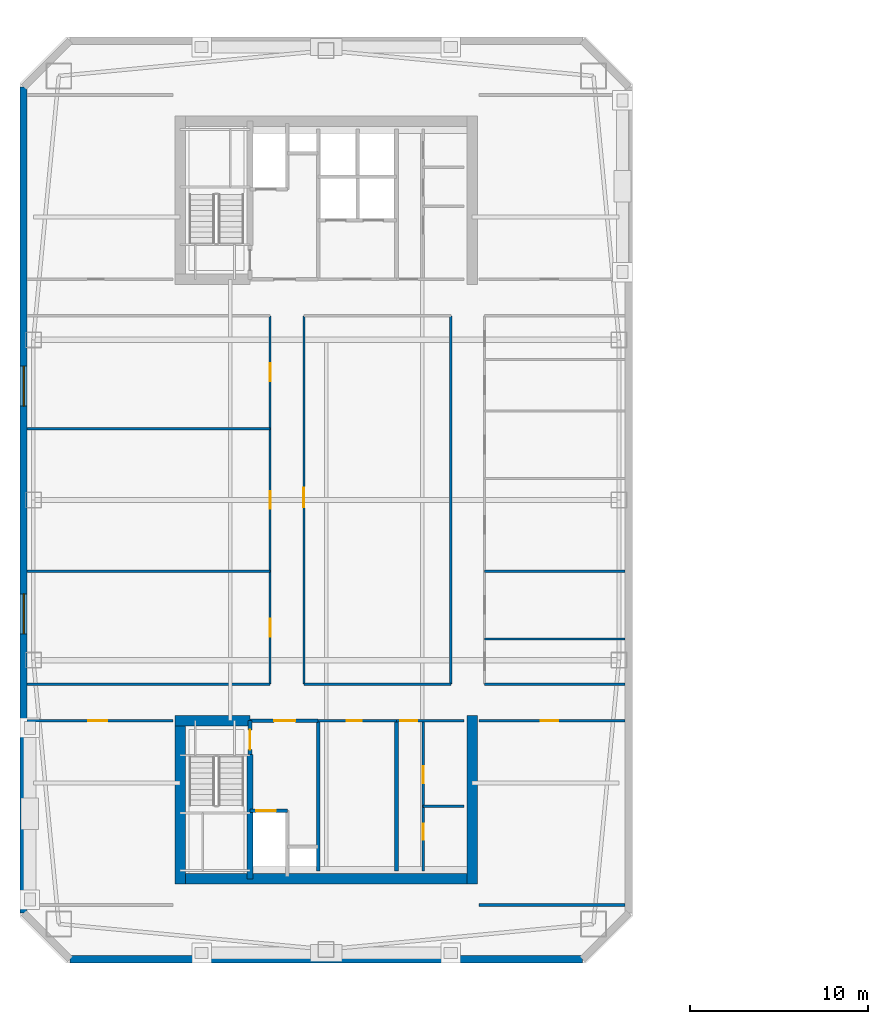
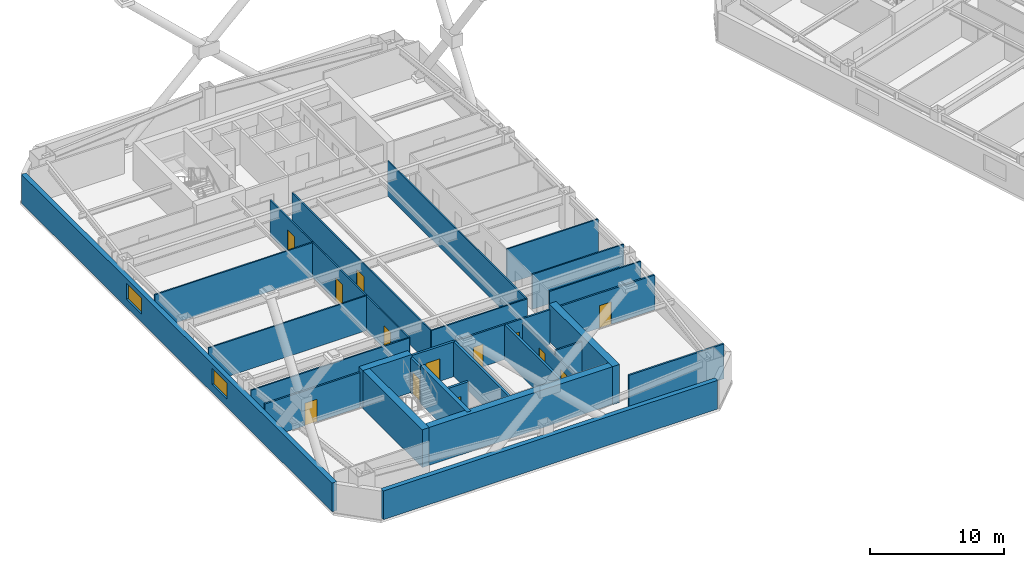
# One storey, part 6 of 14: 29 walls, 13 doors, 2 windows, 15 openings.
"""IFC4 building model written with IfcOpenShell, lengths in metres."""

from ifc_helpers import new_model, si_unit, direction, frame, frame_2d, origin, place, context, subcontext, project, spatial, rectangle, extrude, material, layer, layer_set, type_object, element, fill, save


model = new_model("IFC4")

# Units and contexts
model_context = context("Model", 3, precision=1e-05, world=origin(), true_north=direction((0.0, 1.0)))
body_context = subcontext(model_context, "Body", "Model", "MODEL_VIEW")
ifc_project = project(units=[si_unit("LENGTHUNIT", "METRE"), si_unit("AREAUNIT", "SQUARE_METRE"), si_unit("VOLUMEUNIT", "CUBIC_METRE"), si_unit("PLANEANGLEUNIT", "RADIAN"), si_unit("MASSUNIT", "GRAM", prefix="KILO")], contexts=[model_context])

# Site, building, storey
site_placement = place(None, origin())
site = spatial("IfcSite", under=ifc_project, at=site_placement, CompositionType="ELEMENT")
building_placement = place(site_placement, origin())
building = spatial("IfcBuilding", under=site, at=building_placement, Name="Qiaolan Cultural Towers", CompositionType="ELEMENT")
storey_placement = place(building_placement, frame((0.0, 0.0, 159.85009765625)))
storey = spatial("IfcBuildingStorey", under=building, at=storey_placement, Name="L42", CompositionType="ELEMENT", Elevation=159.85009765625)

# Walls
ifc_material_1 = material(Name="Concrete C50", Category="concrete")
ifc_layer_1 = layer(ifc_material_1, 0.35009765625)
ifc_layer_set_1 = layer_set([ifc_layer_1], Name="Concrete C50")
wall_type_1 = type_object("IfcWallType", Name="WL-CORE-350", PredefinedType="SHEAR", material=ifc_layer_set_1)
wall_1_placement = place(storey_placement, frame((25.719970703125, 19.699951171875, 0.0), z_axis=(0.0, 0.0, 1.0), x_axis=(0.0, -1.0, 0.0)))
element("IfcWall", 1, at=wall_1_placement, inside=storey, type_object=wall_type_1, Name="L42 T1-CS Stair Core Dividing Web", PredefinedType="SHEAR", context=body_context, shape_type="SweptSolid", body=[
    extrude(rectangle(XDim=6.97998046875, YDim=0.35009765625, at=frame_2d((3.489990234375, 0.0))), origin(), (0.0, 0.0, 1.0), 3.449951171875),
])
ifc_material_2 = material(Name="Concrete C55", Category="concrete")
ifc_layer_2 = layer(ifc_material_2, 0.60009765625)
ifc_layer_set_2 = layer_set([ifc_layer_2], Name="Concrete C55")
wall_type_2 = type_object("IfcWallType", Name="WL-CORE-600", PredefinedType="SHEAR", material=ifc_layer_set_2)
wall_2_placement = place(storey_placement, frame((21.5, 12.719970703125, 0.0), z_axis=(0.0, 0.0, 1.0), x_axis=(1.0, 0.0, 0.0)))
element("IfcWall", 2, at=wall_2_placement, inside=storey, type_object=wall_type_2, Name="L42 T1-CS Outer Core Shear Wall", PredefinedType="SHEAR", context=body_context, shape_type="SweptSolid", body=[
    extrude(rectangle(XDim=17.0, YDim=0.60009765625, at=frame_2d((8.5, 0.0))), origin(), (0.0, 0.0, 1.0), 3.449951171875),
])
for number, where, z_axis, x_axis, name in (
    (3, (21.800048828125, 21.89990234375, 0.0), (0.0, 0.0, 1.0), (0.0, -1.0, 0.0), "L42 T1-CS West Core Shear Wall"),
    (4, (38.199951171875, 21.89990234375, 0.0), (0.0, 0.0, 1.0), (0.0, -1.0, 0.0), "L42 T1-CS East Core Shear Wall"),
):
    element("IfcWall", number, at=place(storey_placement, frame(where, z_axis=z_axis, x_axis=x_axis)), inside=storey, type_object=wall_type_2, Name=name, PredefinedType="SHEAR", context=body_context, shape_type="SweptSolid", body=[
        extrude(rectangle(XDim=9.47998046875, YDim=0.60009765625, at=frame_2d((4.739990234375, 0.0))), origin(), (0.0, 0.0, 1.0), 3.449951171875),
    ])
wall_3_placement = place(storey_placement, frame((21.5, 21.60009765625, 0.0), z_axis=(0.0, 0.0, 1.0), x_axis=(1.0, 0.0, 0.0)))
element("IfcWall", 5, at=wall_3_placement, inside=storey, type_object=wall_type_2, Name="L42 T1-CS Stair Front Shear Wall", PredefinedType="SHEAR", context=body_context, shape_type="SweptSolid", body=[
    extrude(rectangle(XDim=4.219970703125, YDim=0.60009765625, at=frame_2d((2.10986328125, 0.0))), origin(), (0.0, 0.0, 1.0), 3.449951171875),
])

# Wall, openings, windows
ifc_material_3 = material(Name="Precast Concrete C50 Honed Stone Pier", Category="masonry")
ifc_layer_3 = layer(ifc_material_3, 0.39990234375)
ifc_layer_set_3 = layer_set([ifc_layer_3], Name="Precast Concrete C50 Honed Stone Pier")
wall_type_3 = type_object("IfcWallType", Name="WL-EXT-PIER-400", PredefinedType="SOLIDWALL", material=ifc_layer_set_3)
wall_4_placement = place(storey_placement, frame((13.0, 10.800048828125, 0.0), z_axis=(0.0, 0.0, 1.0), x_axis=(0.0, 1.0, 0.0)))
wall_4 = element("IfcWall", 6, at=wall_4_placement, inside=storey, type_object=wall_type_3, Name="L42 West Tower Precast Pier Facade Wall F1", PredefinedType="SOLIDWALL", context=body_context, shape_type="SweptSolid", body=[
    extrude(rectangle(XDim=46.39990234375, YDim=0.39990234375, at=frame_2d((23.199951171875, 0.0))), origin(), (0.0, 0.0, 1.0), 2.60986328125),
])
opening_1_placement = place(wall_4_placement, frame((15.675048828125, 0.0, 0.75)))
opening_1 = element("IfcOpeningElement", 7, at=opening_1_placement, cuts=wall_4, Name="Opening W-03", PredefinedType="OPENING", context=body_context, shape_type="SweptSolid", body=[
    extrude(rectangle(XDim=2.25, YDim=1.4599609375, at=frame_2d((1.125, 0.72998046875))), frame((0.0, 0.2099609375, 0.0), z_axis=(0.0, -1.0, 0.0), x_axis=(1.0, 0.0, 0.0)), (0.0, 0.0, 1.0), 0.419921875),
])
opening_2_placement = place(wall_4_placement, frame((28.47509765625, 0.0, 0.75)))
opening_2 = element("IfcOpeningElement", 8, at=opening_2_placement, cuts=wall_4, Name="Opening W-03", PredefinedType="OPENING", context=body_context, shape_type="SweptSolid", body=[
    extrude(rectangle(XDim=2.25, YDim=1.4599609375, at=frame_2d((1.125, 0.72998046875))), frame((0.0, 0.2099609375, 0.0), z_axis=(0.0, -1.0, 0.0), x_axis=(1.0, 0.0, 0.0)), (0.0, 0.0, 1.0), 0.419921875),
])
ifc_material_4 = material(Name="Thermally Broken Aluminium Triple Low-E Glazing", Category="aluminium")
window_type = type_object("IfcWindowType", Name="WN-CHIC-2250", PartitioningType="SINGLE_PANEL", PredefinedType="WINDOW", material=ifc_material_4)
window_1_placement = place(opening_1_placement, origin())
window_1 = element("IfcWindow", 9, at=window_1_placement, inside=storey, type_object=window_type, Name="L42 T1 W Chicago Bay Window 1", OverallHeight=1.4599609375, OverallWidth=2.25, PartitioningType="TRIPLE_PANEL_VERTICAL", PredefinedType="WINDOW", context=body_context, shape_type="SweptSolid", body=[
    extrude(rectangle(XDim=2.25, YDim=1.4599609375, at=frame_2d((1.125, 0.72998046875))), frame((0.0, 0.030029296875, 0.0), z_axis=(0.0, -1.0, 0.0), x_axis=(1.0, 0.0, 0.0)), (0.0, 0.0, 1.0), 0.06005859375),
])
fill(opening_1, window_1)
window_2_placement = place(opening_2_placement, origin())
window_2 = element("IfcWindow", 10, at=window_2_placement, inside=storey, type_object=window_type, Name="L42 T1 W Chicago Bay Window 2", OverallHeight=1.4599609375, OverallWidth=2.25, PartitioningType="TRIPLE_PANEL_VERTICAL", PredefinedType="WINDOW", context=body_context, shape_type="SweptSolid", body=[
    extrude(rectangle(XDim=2.25, YDim=1.4599609375, at=frame_2d((1.125, 0.72998046875))), frame((0.0, 0.030029296875, 0.0), z_axis=(0.0, -1.0, 0.0), x_axis=(1.0, 0.0, 0.0)), (0.0, 0.0, 1.0), 0.06005859375),
])
fill(opening_2, window_2)

# Wall
wall_5_placement = place(storey_placement, frame((44.39990234375, 8.199951171875, 0.0), z_axis=(0.0, 0.0, 1.0), x_axis=(-1.0, 0.0, 0.0)))
element("IfcWall", 11, at=wall_5_placement, inside=storey, type_object=wall_type_3, Name="L42 West Tower Precast Pier Facade Wall F7", PredefinedType="SOLIDWALL", context=body_context, shape_type="SweptSolid", body=[
    extrude(rectangle(XDim=28.7998046875, YDim=0.39990234375, at=frame_2d((14.39990234375, 0.0))), origin(), (0.0, 0.0, 1.0), 2.60986328125),
])

# Wall, opening, door
ifc_material_5 = material(Name="Concrete C35 Fire Wall", Category="concrete")
ifc_layer_4 = layer(ifc_material_5, 0.199951171875)
ifc_layer_set_4 = layer_set([ifc_layer_4], Name="Concrete C35 Fire Wall")
wall_type_4 = type_object("IfcWallType", Name="WL-FIRE-200", PredefinedType="PARTITIONING", material=ifc_layer_set_4)
wall_6_placement = place(storey_placement, frame((25.719970703125, 21.60009765625, 0.0), z_axis=(0.0, 0.0, 1.0), x_axis=(0.0, -1.0, 0.0)))
wall_6 = element("IfcWall", 12, at=wall_6_placement, inside=storey, type_object=wall_type_4, Name="L42 T1-CS Smokeproof Stair Entry Wall", PredefinedType="PARTITIONING", context=body_context, shape_type="SweptSolid", body=[
    extrude(rectangle(XDim=1.900146484375, YDim=0.199951171875, at=frame_2d((0.9501953125, 0.0))), origin(), (0.0, 0.0, 1.0), 3.1748046875),
])
opening_3_placement = place(wall_6_placement, frame((0.52001953125, 0.0, 0.0)))
opening_3 = element("IfcOpeningElement", 13, at=opening_3_placement, cuts=wall_6, Name="Opening FD-04", PredefinedType="OPENING", context=body_context, shape_type="SweptSolid", body=[
    extrude(rectangle(XDim=1.10009765625, YDim=2.050048828125, at=frame_2d((0.550048828125, 1.02490234375))), frame((0.0, 0.10986328125, 0.0), z_axis=(0.0, -1.0, 0.0), x_axis=(1.0, 0.0, 0.0)), (0.0, 0.0, 1.0), 0.219970703125),
])
ifc_material_6 = material(Name="Galvanized Steel Command Fire Door", Category="steel")
door_type_1 = type_object("IfcDoorType", Name="DR-FD90-1100", OperationType="NOTDEFINED", PredefinedType="DOOR", material=ifc_material_6)
door_1_placement = place(opening_3_placement, origin())
door_1 = element("IfcDoor", 14, at=door_1_placement, inside=storey, type_object=door_type_1, Name="L42 ST-W1 Smokeproof Stair Fire Door", OperationType="SINGLE_SWING_LEFT", OverallHeight=2.050048828125, OverallWidth=1.10009765625, PredefinedType="DOOR", context=body_context, shape_type="SweptSolid", body=[
    extrude(rectangle(XDim=1.10009765625, YDim=2.050048828125, at=frame_2d((0.550048828125, 1.02490234375))), frame((0.0, 0.02490234375, 0.0), z_axis=(0.0, -1.0, 0.0), x_axis=(1.0, 0.0, 0.0)), (0.0, 0.0, 1.0), 0.050048828125),
])
fill(opening_3, door_1)

# Wall
wall_7_placement = place(storey_placement, frame((29.550048828125, 21.60009765625, 0.0), z_axis=(0.0, 0.0, 1.0), x_axis=(0.0, -1.0, 0.0)))
element("IfcWall", 15, at=wall_7_placement, inside=storey, type_object=wall_type_4, Name="L42 T1-CS Firefighting Zone Wall", PredefinedType="PARTITIONING", context=body_context, shape_type="SweptSolid", body=[
    extrude(rectangle(XDim=8.43017578125, YDim=0.199951171875, at=frame_2d((4.215087890625, 0.0))), origin(), (0.0, 0.0, 1.0), 3.1748046875),
])

# Wall, opening, door
wall_8_placement = place(storey_placement, frame((25.719970703125, 21.60009765625, 0.0), z_axis=(0.0, 0.0, 1.0), x_axis=(1.0, 0.0, 0.0)))
wall_8 = element("IfcWall", 16, at=wall_8_placement, inside=storey, type_object=wall_type_4, Name="L42 T1-CS Firefighting Lobby Front Wall", PredefinedType="PARTITIONING", context=body_context, shape_type="SweptSolid", body=[
    extrude(rectangle(XDim=3.830078125, YDim=0.199951171875, at=frame_2d((1.9150390625, 0.0))), origin(), (0.0, 0.0, 1.0), 3.1748046875),
])
opening_4_placement = place(wall_8_placement, frame((1.35009765625, 0.0, 0.0)))
opening_4 = element("IfcOpeningElement", 17, at=opening_4_placement, cuts=wall_8, Name="Opening FD-03", PredefinedType="OPENING", context=body_context, shape_type="SweptSolid", body=[
    extrude(rectangle(XDim=1.199951171875, YDim=2.050048828125, at=frame_2d((0.60009765625, 1.02490234375))), frame((0.0, 0.10986328125, 0.0), z_axis=(0.0, -1.0, 0.0), x_axis=(1.0, 0.0, 0.0)), (0.0, 0.0, 1.0), 0.219970703125),
])
ifc_material_7 = material(Name="Galvanized Steel Smokeproof Lobby Fire Door", Category="steel")
door_type_2 = type_object("IfcDoorType", Name="DR-FD90-1200", OperationType="NOTDEFINED", PredefinedType="DOOR", material=ifc_material_7)
door_2_placement = place(opening_4_placement, origin())
door_2 = element("IfcDoor", 18, at=door_2_placement, inside=storey, type_object=door_type_2, Name="L42 FFL-W1 Firefighting Lobby Fire Door", OperationType="SINGLE_SWING_LEFT", OverallHeight=2.050048828125, OverallWidth=1.199951171875, PredefinedType="DOOR", context=body_context, shape_type="SweptSolid", body=[
    extrude(rectangle(XDim=1.199951171875, YDim=2.050048828125, at=frame_2d((0.60009765625, 1.02490234375))), frame((0.0, 0.02490234375, 0.0), z_axis=(0.0, -1.0, 0.0), x_axis=(1.0, 0.0, 0.0)), (0.0, 0.0, 1.0), 0.050048828125),
])
fill(opening_4, door_2)

wall_9_placement = place(storey_placement, frame((25.719970703125, 16.550048828125, 0.0), z_axis=(0.0, 0.0, 1.0), x_axis=(1.0, 0.0, 0.0)))
wall_9 = element("IfcWall", 19, at=wall_9_placement, inside=storey, type_object=wall_type_4, Name="L42 T1-CS Firefighting Shaft Front Wall", PredefinedType="PARTITIONING", context=body_context, shape_type="SweptSolid", body=[
    extrude(rectangle(XDim=2.10009765625, YDim=0.199951171875, at=frame_2d((1.050048828125, 0.0))), origin(), (0.0, 0.0, 1.0), 3.1748046875),
])
opening_5_placement = place(wall_9_placement, frame((0.35009765625, 0.0, 0.0)))
opening_5 = element("IfcOpeningElement", 20, at=opening_5_placement, cuts=wall_9, Name="Opening LD-01", PredefinedType="OPENING", context=body_context, shape_type="SweptSolid", body=[
    extrude(rectangle(XDim=1.10009765625, YDim=2.050048828125, at=frame_2d((0.550048828125, 1.02490234375))), frame((0.0, 0.10986328125, 0.0), z_axis=(0.0, -1.0, 0.0), x_axis=(1.0, 0.0, 0.0)), (0.0, 0.0, 1.0), 0.219970703125),
])
ifc_material_8 = material(Name="Brushed Stainless Steel S30408 Centre-Parting Lift Landing Door", Category="steel")
door_type_3 = type_object("IfcDoorType", Name="DR-LIFT-1100", OperationType="NOTDEFINED", PredefinedType="DOOR", material=ifc_material_8)
door_3_placement = place(opening_5_placement, origin())
door_3 = element("IfcDoor", 21, at=door_3_placement, inside=storey, type_object=door_type_3, Name="L42 FFL-W1 Firefighting Lift Landing Door", OperationType="DOUBLE_DOOR_SLIDING", OverallHeight=2.050048828125, OverallWidth=1.10009765625, PredefinedType="DOOR", context=body_context, shape_type="SweptSolid", body=[
    extrude(rectangle(XDim=1.10009765625, YDim=2.050048828125, at=frame_2d((0.550048828125, 1.02490234375))), frame((0.0, 0.02490234375, 0.0), z_axis=(0.0, -1.0, 0.0), x_axis=(1.0, 0.0, 0.0)), (0.0, 0.0, 1.0), 0.050048828125),
])
fill(opening_5, door_3)

# Walls
wall_10_placement = place(storey_placement, frame((33.949951171875, 21.60009765625, 0.0), z_axis=(0.0, 0.0, 1.0), x_axis=(0.0, -1.0, 0.0)))
element("IfcWall", 22, at=wall_10_placement, inside=storey, type_object=wall_type_4, Name="L42 T1-CS Lift Core East Wall", PredefinedType="PARTITIONING", context=body_context, shape_type="SweptSolid", body=[
    extrude(rectangle(XDim=8.43017578125, YDim=0.199951171875, at=frame_2d((4.215087890625, 0.0))), origin(), (0.0, 0.0, 1.0), 3.1748046875),
])
ifc_material_9 = material(Name="Gypsum Stud Acoustic Partition", Category="gypsum")
ifc_layer_5 = layer(ifc_material_9, 0.1201171875)
ifc_layer_set_5 = layer_set([ifc_layer_5], Name="Gypsum Stud Acoustic Partition")
wall_type_5 = type_object("IfcWallType", Name="WL-PART-120", PredefinedType="PARTITIONING", material=ifc_layer_set_5)
wall_11_placement = place(storey_placement, frame((13.199951171875, 23.64990234375, 0.0), z_axis=(0.0, 0.0, 1.0), x_axis=(1.0, 0.0, 0.0)))
element("IfcWall", 23, at=wall_11_placement, inside=storey, type_object=wall_type_5, Name="L42 T1 Interior Wall", PredefinedType="PARTITIONING", context=body_context, shape_type="SweptSolid", body=[
    extrude(rectangle(XDim=13.650146484375, YDim=0.1201171875, at=frame_2d((6.8251953125, 0.0))), origin(), (0.0, 0.0, 1.0), 3.1748046875),
])
wall_12_placement = place(storey_placement, frame((28.75, 23.64990234375, 0.0), z_axis=(0.0, 0.0, 1.0), x_axis=(1.0, 0.0, 0.0)))
element("IfcWall", 24, at=wall_12_placement, inside=storey, type_object=wall_type_5, Name="L42 T1 Interior Wall", PredefinedType="PARTITIONING", context=body_context, shape_type="SweptSolid", body=[
    extrude(rectangle(XDim=8.25, YDim=0.1201171875, at=frame_2d((4.125, 0.0))), origin(), (0.0, 0.0, 1.0), 3.1748046875),
])
wall_13_placement = place(storey_placement, frame((38.89990234375, 23.64990234375, 0.0), z_axis=(0.0, 0.0, 1.0), x_axis=(1.0, 0.0, 0.0)))
element("IfcWall", 25, at=wall_13_placement, inside=storey, type_object=wall_type_5, Name="L42 T1 Interior Wall", PredefinedType="PARTITIONING", context=body_context, shape_type="SweptSolid", body=[
    extrude(rectangle(XDim=7.900146484375, YDim=0.1201171875, at=frame_2d((3.9501953125, 0.0))), origin(), (0.0, 0.0, 1.0), 3.1748046875),
])

# Wall, openings, doors
wall_14_placement = place(storey_placement, frame((26.85009765625, 23.64990234375, 0.0), z_axis=(0.0, 0.0, 1.0), x_axis=(0.0, 1.0, 0.0)))
wall_14 = element("IfcWall", 26, at=wall_14_placement, inside=storey, type_object=wall_type_5, Name="L42 T1 Interior Wall", PredefinedType="PARTITIONING", context=body_context, shape_type="SweptSolid", body=[
    extrude(rectangle(XDim=20.7001953125, YDim=0.1201171875, at=frame_2d((10.35009765625, 0.0))), origin(), (0.0, 0.0, 1.0), 3.1748046875),
])
opening_6_placement = place(wall_14_placement, frame((2.675048828125, 0.0, 0.0)))
opening_6 = element("IfcOpeningElement", 27, at=opening_6_placement, cuts=wall_14, Name="Opening ID-04", PredefinedType="OPENING", context=body_context, shape_type="SweptSolid", body=[
    extrude(rectangle(XDim=1.0, YDim=2.050048828125, at=frame_2d((0.5, 1.02490234375))), frame((0.0, 0.070068359375, 0.0), z_axis=(0.0, -1.0, 0.0), x_axis=(1.0, 0.0, 0.0)), (0.0, 0.0, 1.0), 0.14013671875),
])
opening_7_placement = place(wall_14_placement, frame((9.85009765625, 0.0, 0.0)))
opening_7 = element("IfcOpeningElement", 28, at=opening_7_placement, cuts=wall_14, Name="Opening ID-04", PredefinedType="OPENING", context=body_context, shape_type="SweptSolid", body=[
    extrude(rectangle(XDim=1.0, YDim=2.050048828125, at=frame_2d((0.5, 1.02490234375))), frame((0.0, 0.070068359375, 0.0), z_axis=(0.0, -1.0, 0.0), x_axis=(1.0, 0.0, 0.0)), (0.0, 0.0, 1.0), 0.14013671875),
])
opening_8_placement = place(wall_14_placement, frame((17.02490234375, 0.0, 0.0)))
opening_8 = element("IfcOpeningElement", 29, at=opening_8_placement, cuts=wall_14, Name="Opening ID-04", PredefinedType="OPENING", context=body_context, shape_type="SweptSolid", body=[
    extrude(rectangle(XDim=1.0, YDim=2.050048828125, at=frame_2d((0.5, 1.02490234375))), frame((0.0, 0.070068359375, 0.0), z_axis=(0.0, -1.0, 0.0), x_axis=(1.0, 0.0, 0.0)), (0.0, 0.0, 1.0), 0.14013671875),
])
ifc_material_10 = material(Name="Oak Veneer Acoustic Office Door", Category="timber")
door_type_4 = type_object("IfcDoorType", Name="DR-INT-1000", OperationType="NOTDEFINED", PredefinedType="DOOR", material=ifc_material_10)
door_4_placement = place(opening_6_placement, origin())
door_4 = element("IfcDoor", 30, at=door_4_placement, inside=storey, type_object=door_type_4, Name="L42 T1 Members Sky Club Door", OperationType="SINGLE_SWING_LEFT", OverallHeight=2.050048828125, OverallWidth=1.0, PredefinedType="DOOR", context=body_context, shape_type="SweptSolid", body=[
    extrude(rectangle(XDim=1.0, YDim=2.050048828125, at=frame_2d((0.5, 1.02490234375))), frame((0.0, 0.02490234375, 0.0), z_axis=(0.0, -1.0, 0.0), x_axis=(1.0, 0.0, 0.0)), (0.0, 0.0, 1.0), 0.050048828125),
])
fill(opening_6, door_4)
door_5_placement = place(opening_7_placement, origin())
door_5 = element("IfcDoor", 31, at=door_5_placement, inside=storey, type_object=door_type_4, Name="L42 T1 Members Sky Club Door", OperationType="SINGLE_SWING_RIGHT", OverallHeight=2.050048828125, OverallWidth=1.0, PredefinedType="DOOR", context=body_context, shape_type="SweptSolid", body=[
    extrude(rectangle(XDim=1.0, YDim=2.050048828125, at=frame_2d((0.5, 1.02490234375))), frame((0.0, 0.02490234375, 0.0), z_axis=(0.0, -1.0, 0.0), x_axis=(1.0, 0.0, 0.0)), (0.0, 0.0, 1.0), 0.050048828125),
])
fill(opening_7, door_5)
door_6_placement = place(opening_8_placement, origin())
door_6 = element("IfcDoor", 32, at=door_6_placement, inside=storey, type_object=door_type_4, Name="L42 T1 Members Sky Club Door", OperationType="SINGLE_SWING_LEFT", OverallHeight=2.050048828125, OverallWidth=1.0, PredefinedType="DOOR", context=body_context, shape_type="SweptSolid", body=[
    extrude(rectangle(XDim=1.0, YDim=2.050048828125, at=frame_2d((0.5, 1.02490234375))), frame((0.0, 0.02490234375, 0.0), z_axis=(0.0, -1.0, 0.0), x_axis=(1.0, 0.0, 0.0)), (0.0, 0.0, 1.0), 0.050048828125),
])
fill(opening_8, door_6)

# Wall, opening, door
wall_15_placement = place(storey_placement, frame((28.75, 23.64990234375, 0.0), z_axis=(0.0, 0.0, 1.0), x_axis=(0.0, 1.0, 0.0)))
wall_15 = element("IfcWall", 33, at=wall_15_placement, inside=storey, type_object=wall_type_5, Name="L42 T1 Interior Wall", PredefinedType="PARTITIONING", context=body_context, shape_type="SweptSolid", body=[
    extrude(rectangle(XDim=20.7001953125, YDim=0.1201171875, at=frame_2d((10.35009765625, 0.0))), origin(), (0.0, 0.0, 1.0), 3.1748046875),
])
opening_9_placement = place(wall_15_placement, frame((9.93603515625, 0.0, 0.0)))
opening_9 = element("IfcOpeningElement", 34, at=opening_9_placement, cuts=wall_15, Name="Opening ID-03", PredefinedType="OPENING", context=body_context, shape_type="SweptSolid", body=[
    extrude(rectangle(XDim=1.10009765625, YDim=2.050048828125, at=frame_2d((0.550048828125, 1.02490234375))), frame((0.0, 0.070068359375, 0.0), z_axis=(0.0, -1.0, 0.0), x_axis=(1.0, 0.0, 0.0)), (0.0, 0.0, 1.0), 0.14013671875),
])
ifc_material_11 = material(Name="Oak Veneer Solid-Core Boardroom Door", Category="timber")
door_type_5 = type_object("IfcDoorType", Name="DR-INT-1100", OperationType="NOTDEFINED", PredefinedType="DOOR", material=ifc_material_11)
door_7_placement = place(opening_9_placement, origin())
door_7 = element("IfcDoor", 35, at=door_7_placement, inside=storey, type_object=door_type_5, Name="L42 T1 Central Colloquium Hall Door", OperationType="SINGLE_SWING_LEFT", OverallHeight=2.050048828125, OverallWidth=1.10009765625, PredefinedType="DOOR", context=body_context, shape_type="SweptSolid", body=[
    extrude(rectangle(XDim=1.10009765625, YDim=2.050048828125, at=frame_2d((0.550048828125, 1.02490234375))), frame((0.0, 0.02490234375, 0.0), z_axis=(0.0, -1.0, 0.0), x_axis=(1.0, 0.0, 0.0)), (0.0, 0.0, 1.0), 0.050048828125),
])
fill(opening_9, door_7)

# Walls
wall_16_placement = place(storey_placement, frame((37.0, 23.64990234375, 0.0), z_axis=(0.0, 0.0, 1.0), x_axis=(0.0, 1.0, 0.0)))
element("IfcWall", 36, at=wall_16_placement, inside=storey, type_object=wall_type_5, Name="L42 T1 Interior Wall", PredefinedType="PARTITIONING", context=body_context, shape_type="SweptSolid", body=[
    extrude(rectangle(XDim=20.7001953125, YDim=0.1201171875, at=frame_2d((10.35009765625, 0.0))), origin(), (0.0, 0.0, 1.0), 3.1748046875),
])
for number, where, z_axis, x_axis, name in (
    (37, (13.199951171875, 30.0, 0.0), (0.0, 0.0, 1.0), (1.0, 0.0, 0.0), "L42 T1 Interior Wall"),
    (38, (13.199951171875, 38.0, 0.0), (0.0, 0.0, 1.0), (1.0, 0.0, 0.0), "L42 T1 Interior Wall"),
):
    element("IfcWall", number, at=place(storey_placement, frame(where, z_axis=z_axis, x_axis=x_axis)), inside=storey, type_object=wall_type_5, Name=name, PredefinedType="PARTITIONING", context=body_context, shape_type="SweptSolid", body=[
        extrude(rectangle(XDim=13.650146484375, YDim=0.1201171875, at=frame_2d((6.8251953125, 0.0))), origin(), (0.0, 0.0, 1.0), 3.1748046875),
    ])
for number, where, z_axis, x_axis, name in (
    (39, (38.89990234375, 26.199951171875, 0.0), (0.0, 0.0, 1.0), (1.0, 0.0, 0.0), "L42 T1 Interior Wall"),
    (40, (38.89990234375, 30.0, 0.0), (0.0, 0.0, 1.0), (1.0, 0.0, 0.0), "L42 T1 Interior Wall"),
):
    element("IfcWall", number, at=place(storey_placement, frame(where, z_axis=z_axis, x_axis=x_axis)), inside=storey, type_object=wall_type_5, Name=name, PredefinedType="PARTITIONING", context=body_context, shape_type="SweptSolid", body=[
        extrude(rectangle(XDim=7.900146484375, YDim=0.1201171875, at=frame_2d((3.9501953125, 0.0))), origin(), (0.0, 0.0, 1.0), 3.1748046875),
    ])

# Wall, opening, door
ifc_material_12 = material(Name="Autoclaved Aerated Concrete Block B06", Category="concrete")
ifc_layer_6 = layer(ifc_material_12, 0.14990234375)
ifc_layer_set_6 = layer_set([ifc_layer_6], Name="Autoclaved Aerated Concrete Block B06")
wall_type_6 = type_object("IfcWallType", Name="WL-PART-150", PredefinedType="PARTITIONING", material=ifc_layer_set_6)
wall_17_placement = place(storey_placement, frame((29.550048828125, 21.60009765625, 0.0), z_axis=(0.0, 0.0, 1.0), x_axis=(1.0, 0.0, 0.0)))
wall_17 = element("IfcWall", 41, at=wall_17_placement, inside=storey, type_object=wall_type_6, Name="L42 T1-CS Reclaimed Core Room Front Wall", PredefinedType="PARTITIONING", context=body_context, shape_type="SweptSolid", body=[
    extrude(rectangle(XDim=4.39990234375, YDim=0.14990234375, at=frame_2d((2.199951171875, 0.0))), origin(), (0.0, 0.0, 1.0), 3.1748046875),
])
opening_10_placement = place(wall_17_placement, frame((1.60009765625, 0.0, 0.0)))
opening_10 = element("IfcOpeningElement", 42, at=opening_10_placement, cuts=wall_17, Name="Opening ID-09", PredefinedType="OPENING", context=body_context, shape_type="SweptSolid", body=[
    extrude(rectangle(XDim=0.85009765625, YDim=2.050048828125, at=frame_2d((0.425048828125, 1.02490234375))), frame((0.0, 0.0849609375, 0.0), z_axis=(0.0, -1.0, 0.0), x_axis=(1.0, 0.0, 0.0)), (0.0, 0.0, 1.0), 0.169921875),
])
ifc_material_13 = material(Name="Moisture-Resistant Laminate Utility Door", Category="timber")
door_type_6 = type_object("IfcDoorType", Name="DR-INT-850", OperationType="NOTDEFINED", PredefinedType="DOOR", material=ifc_material_13)
door_8_placement = place(opening_10_placement, origin())
door_8 = element("IfcDoor", 43, at=door_8_placement, inside=storey, type_object=door_type_6, Name="L42 Reclaimed Archive Room Door", OperationType="SINGLE_SWING_LEFT", OverallHeight=2.050048828125, OverallWidth=0.85009765625, PredefinedType="DOOR", context=body_context, shape_type="SweptSolid", body=[
    extrude(rectangle(XDim=0.85009765625, YDim=2.050048828125, at=frame_2d((0.425048828125, 1.02490234375))), frame((0.0, 0.02490234375, 0.0), z_axis=(0.0, -1.0, 0.0), x_axis=(1.0, 0.0, 0.0)), (0.0, 0.0, 1.0), 0.050048828125),
])
fill(opening_10, door_8)

wall_18_placement = place(storey_placement, frame((33.949951171875, 21.60009765625, 0.0), z_axis=(0.0, 0.0, 1.0), x_axis=(1.0, 0.0, 0.0)))
wall_18 = element("IfcWall", 44, at=wall_18_placement, inside=storey, type_object=wall_type_6, Name="L42 T1-CS Sanitary Core Front Wall", PredefinedType="PARTITIONING", context=body_context, shape_type="SweptSolid", body=[
    extrude(rectangle(XDim=3.800048828125, YDim=0.14990234375, at=frame_2d((1.89990234375, 0.0))), origin(), (0.0, 0.0, 1.0), 3.1748046875),
])
opening_11_placement = place(wall_18_placement, frame((0.219970703125, 0.0, 0.0)))
opening_11 = element("IfcOpeningElement", 45, at=opening_11_placement, cuts=wall_18, Name="Opening ID-05", PredefinedType="OPENING", context=body_context, shape_type="SweptSolid", body=[
    extrude(rectangle(XDim=0.949951171875, YDim=2.050048828125, at=frame_2d((0.47509765625, 1.02490234375))), frame((0.0, 0.0849609375, 0.0), z_axis=(0.0, -1.0, 0.0), x_axis=(1.0, 0.0, 0.0)), (0.0, 0.0, 1.0), 0.169921875),
])
ifc_material_14 = material(Name="Fire-Rated Laminate Accessible Core Door", Category="timber")
door_type_7 = type_object("IfcDoorType", Name="DR-INT-950", OperationType="NOTDEFINED", PredefinedType="DOOR", material=ifc_material_14)
door_9_placement = place(opening_11_placement, origin())
door_9 = element("IfcDoor", 46, at=door_9_placement, inside=storey, type_object=door_type_7, Name="L42 Sanitary Lobby Door", OperationType="SINGLE_SWING_LEFT", OverallHeight=2.050048828125, OverallWidth=0.949951171875, PredefinedType="DOOR", context=body_context, shape_type="SweptSolid", body=[
    extrude(rectangle(XDim=0.949951171875, YDim=2.050048828125, at=frame_2d((0.47509765625, 1.02490234375))), frame((0.0, 0.02490234375, 0.0), z_axis=(0.0, -1.0, 0.0), x_axis=(1.0, 0.0, 0.0)), (0.0, 0.0, 1.0), 0.050048828125),
])
fill(opening_11, door_9)

# Wall, openings, doors
wall_19_placement = place(storey_placement, frame((35.449951171875, 21.60009765625, 0.0), z_axis=(0.0, 0.0, 1.0), x_axis=(0.0, -1.0, 0.0)))
wall_19 = element("IfcWall", 47, at=wall_19_placement, inside=storey, type_object=wall_type_6, Name="L42 T1-CS Washroom Split Wall", PredefinedType="PARTITIONING", context=body_context, shape_type="SweptSolid", body=[
    extrude(rectangle(XDim=8.43017578125, YDim=0.14990234375, at=frame_2d((4.215087890625, 0.0))), origin(), (0.0, 0.0, 1.0), 2.764892578125),
])
opening_12_placement = place(wall_19_placement, frame((2.550048828125, 0.0, 0.0)))
opening_12 = element("IfcOpeningElement", 48, at=opening_12_placement, cuts=wall_19, Name="Opening ID-05", PredefinedType="OPENING", context=body_context, shape_type="SweptSolid", body=[
    extrude(rectangle(XDim=0.949951171875, YDim=2.050048828125, at=frame_2d((0.47509765625, 1.02490234375))), frame((0.0, 0.0849609375, 0.0), z_axis=(0.0, -1.0, 0.0), x_axis=(1.0, 0.0, 0.0)), (0.0, 0.0, 1.0), 0.169921875),
])
opening_13_placement = place(wall_19_placement, frame((5.800048828125, 0.0, 0.0)))
opening_13 = element("IfcOpeningElement", 49, at=opening_13_placement, cuts=wall_19, Name="Opening ID-06", PredefinedType="OPENING", context=body_context, shape_type="SweptSolid", body=[
    extrude(rectangle(XDim=0.89990234375, YDim=2.050048828125, at=frame_2d((0.449951171875, 1.02490234375))), frame((0.0, 0.0849609375, 0.0), z_axis=(0.0, -1.0, 0.0), x_axis=(1.0, 0.0, 0.0)), (0.0, 0.0, 1.0), 0.169921875),
])
ifc_material_15 = material(Name="Fire-Rated Laminate Core Service Door", Category="timber")
door_type_8 = type_object("IfcDoorType", Name="DR-INT-900", OperationType="NOTDEFINED", PredefinedType="DOOR", material=ifc_material_15)
door_10_placement = place(opening_13_placement, origin())
door_10 = element("IfcDoor", 50, at=door_10_placement, inside=storey, type_object=door_type_8, Name="L42 First-Aid Room Door", OperationType="SINGLE_SWING_RIGHT", OverallHeight=2.050048828125, OverallWidth=0.89990234375, PredefinedType="DOOR", context=body_context, shape_type="SweptSolid", body=[
    extrude(rectangle(XDim=0.89990234375, YDim=2.050048828125, at=frame_2d((0.449951171875, 1.02490234375))), frame((0.0, 0.02490234375, 0.0), z_axis=(0.0, -1.0, 0.0), x_axis=(1.0, 0.0, 0.0)), (0.0, 0.0, 1.0), 0.050048828125),
])
fill(opening_13, door_10)
door_11_placement = place(opening_12_placement, origin())
door_11 = element("IfcDoor", 51, at=door_11_placement, inside=storey, type_object=door_type_7, Name="L42 Accessible Washroom Door", OperationType="SINGLE_SWING_LEFT", OverallHeight=2.050048828125, OverallWidth=0.949951171875, PredefinedType="DOOR", context=body_context, shape_type="SweptSolid", body=[
    extrude(rectangle(XDim=0.949951171875, YDim=2.050048828125, at=frame_2d((0.47509765625, 1.02490234375))), frame((0.0, 0.02490234375, 0.0), z_axis=(0.0, -1.0, 0.0), x_axis=(1.0, 0.0, 0.0)), (0.0, 0.0, 1.0), 0.050048828125),
])
fill(opening_12, door_11)

# Wall
wall_20_placement = place(storey_placement, frame((35.449951171875, 16.800048828125, 0.0), z_axis=(0.0, 0.0, 1.0), x_axis=(1.0, 0.0, 0.0)))
element("IfcWall", 52, at=wall_20_placement, inside=storey, type_object=wall_type_6, Name="L42 T1-CS First-Aid Wall", PredefinedType="PARTITIONING", context=body_context, shape_type="SweptSolid", body=[
    extrude(rectangle(XDim=2.300048828125, YDim=0.14990234375, at=frame_2d((1.14990234375, 0.0))), origin(), (0.0, 0.0, 1.0), 3.1748046875),
])

# Wall, opening, door
wall_21_placement = place(storey_placement, frame((13.199951171875, 21.60009765625, 0.0), z_axis=(0.0, 0.0, 1.0), x_axis=(1.0, 0.0, 0.0)))
wall_21 = element("IfcWall", 53, at=wall_21_placement, inside=storey, type_object=wall_type_6, Name="L42 T1 Flank Front FLK-SW", PredefinedType="PARTITIONING", context=body_context, shape_type="SweptSolid", body=[
    extrude(rectangle(XDim=8.199951171875, YDim=0.14990234375, at=frame_2d((4.10009765625, 0.0))), origin(), (0.0, 0.0, 1.0), 3.1748046875),
])
opening_14_placement = place(wall_21_placement, frame((3.444091796875, 0.0, 0.0)))
opening_14 = element("IfcOpeningElement", 54, at=opening_14_placement, cuts=wall_21, Name="Opening ID-07", PredefinedType="OPENING", context=body_context, shape_type="SweptSolid", body=[
    extrude(rectangle(XDim=1.050048828125, YDim=2.050048828125, at=frame_2d((0.52490234375, 1.02490234375))), frame((0.0, 0.0849609375, 0.0), z_axis=(0.0, -1.0, 0.0), x_axis=(1.0, 0.0, 0.0)), (0.0, 0.0, 1.0), 0.169921875),
])
ifc_material_16 = material(Name="Oak Veneer Consultation Door", Category="timber")
door_type_9 = type_object("IfcDoorType", Name="DR-INT-1050", OperationType="NOTDEFINED", PredefinedType="DOOR", material=ifc_material_16)
door_12_placement = place(opening_14_placement, origin())
door_12 = element("IfcDoor", 55, at=door_12_placement, inside=storey, type_object=door_type_9, Name="L42 T1 Corner Studio Door", OperationType="SINGLE_SWING_LEFT", OverallHeight=2.050048828125, OverallWidth=1.050048828125, PredefinedType="DOOR", context=body_context, shape_type="SweptSolid", body=[
    extrude(rectangle(XDim=1.050048828125, YDim=2.050048828125, at=frame_2d((0.52490234375, 1.02490234375))), frame((0.0, 0.02490234375, 0.0), z_axis=(0.0, -1.0, 0.0), x_axis=(1.0, 0.0, 0.0)), (0.0, 0.0, 1.0), 0.050048828125),
])
fill(opening_14, door_12)

# Wall
wall_22_placement = place(storey_placement, frame((38.60009765625, 11.25, 0.0), z_axis=(0.0, 0.0, 1.0), x_axis=(1.0, 0.0, 0.0)))
element("IfcWall", 56, at=wall_22_placement, inside=storey, type_object=wall_type_6, Name="L42 T1 Flank Wall FLK-SE", PredefinedType="PARTITIONING", context=body_context, shape_type="SweptSolid", body=[
    extrude(rectangle(XDim=8.199951171875, YDim=0.14990234375, at=frame_2d((4.10009765625, 0.0))), origin(), (0.0, 0.0, 1.0), 3.1748046875),
])

# Wall, opening, door
wall_23_placement = place(storey_placement, frame((38.60009765625, 21.60009765625, 0.0), z_axis=(0.0, 0.0, 1.0), x_axis=(1.0, 0.0, 0.0)))
wall_23 = element("IfcWall", 57, at=wall_23_placement, inside=storey, type_object=wall_type_6, Name="L42 T1 Flank Front FLK-SE", PredefinedType="PARTITIONING", context=body_context, shape_type="SweptSolid", body=[
    extrude(rectangle(XDim=8.199951171875, YDim=0.14990234375, at=frame_2d((4.10009765625, 0.0))), origin(), (0.0, 0.0, 1.0), 3.1748046875),
])
opening_15_placement = place(wall_23_placement, frame((3.444091796875, 0.0, 0.0)))
opening_15 = element("IfcOpeningElement", 58, at=opening_15_placement, cuts=wall_23, Name="Opening ID-04", PredefinedType="OPENING", context=body_context, shape_type="SweptSolid", body=[
    extrude(rectangle(XDim=1.0, YDim=2.050048828125, at=frame_2d((0.5, 1.02490234375))), frame((0.0, 0.0849609375, 0.0), z_axis=(0.0, -1.0, 0.0), x_axis=(1.0, 0.0, 0.0)), (0.0, 0.0, 1.0), 0.169921875),
])
door_13_placement = place(opening_15_placement, origin())
door_13 = element("IfcDoor", 59, at=door_13_placement, inside=storey, type_object=door_type_4, Name="L42 T1 Corner Studio Door", OperationType="SINGLE_SWING_LEFT", OverallHeight=2.050048828125, OverallWidth=1.0, PredefinedType="DOOR", context=body_context, shape_type="SweptSolid", body=[
    extrude(rectangle(XDim=1.0, YDim=2.050048828125, at=frame_2d((0.5, 1.02490234375))), frame((0.0, 0.02490234375, 0.0), z_axis=(0.0, -1.0, 0.0), x_axis=(1.0, 0.0, 0.0)), (0.0, 0.0, 1.0), 0.050048828125),
])
fill(opening_15, door_13)

save(model, "model.ifc")
